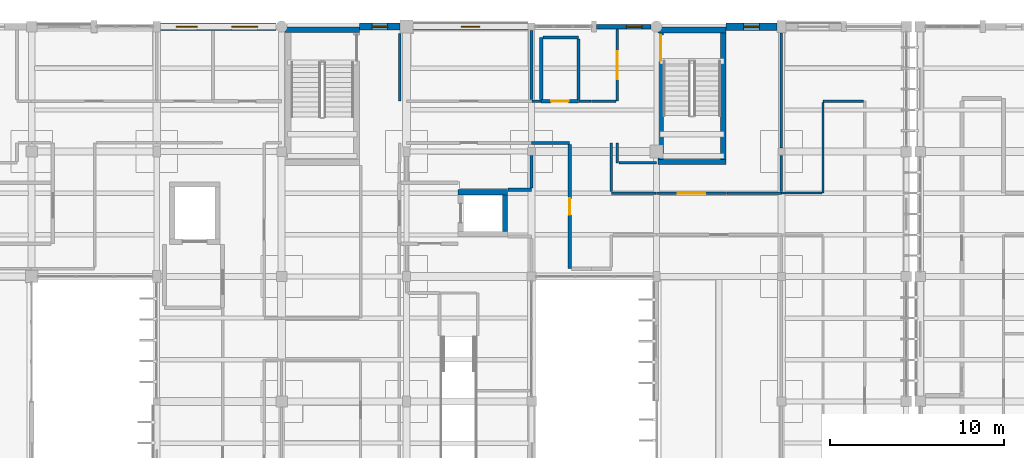
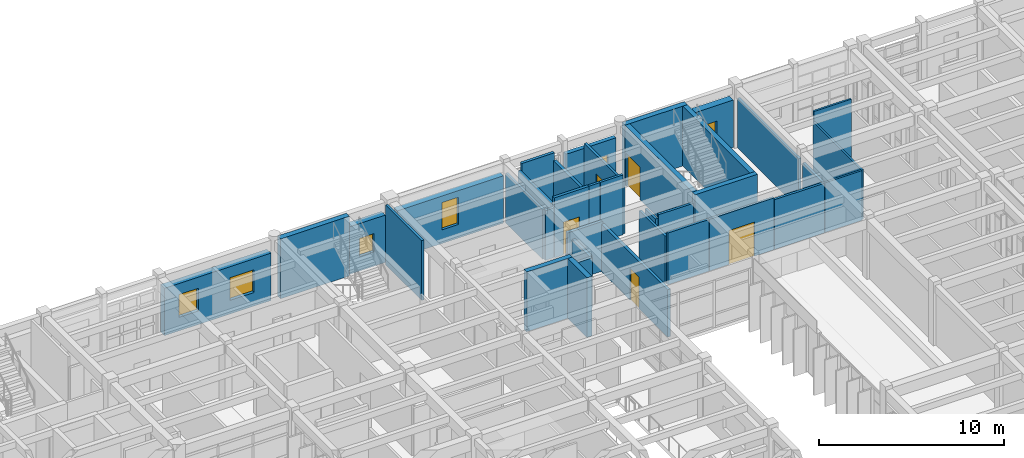
# One storey, part 80 of 100: 37 walls, 6 windows, 5 doors, 11 openings.
"""IFC4 building model written with IfcOpenShell, lengths in metres."""

import ifcopenshell
import ifcopenshell.guid

model = None  # the IFC model being written
_history = None  # IfcOwnerHistory: only IFC2X3 demands one
_inside = {}  # id of a spatial element -> (the spatial element, [elements in it])
_under = {}  # id of a project, library or spatial element -> (it, [spatial elements below it])
_declared = {}  # id of a project -> (the project, [libraries it declares])
_typed = {}  # id of a type object -> (the type object, [elements of that type])
_made_of = {}  # id of a material, layer set ... -> (it, [elements and type objects made of it])


def new_model(schema):
    """Start an empty IFC model of exactly this schema.

    Asked for "IFC4X3", IfcOpenShell would pick the latest addendum, in which some entities
    have other attributes; the version numbers below select the first issue.
    IFC2X3 requires an IfcOwnerHistory on every rooted entity: one is made here for all.
    """
    global model, _history
    if schema == "IFC4X3":
        model = ifcopenshell.file(schema_version=(4, 3, 0, 0))
    else:
        model = ifcopenshell.file(schema=schema)
    _inside.clear()
    _under.clear()
    _declared.clear()
    _typed.clear()
    _made_of.clear()
    _history = None
    if model.schema == "IFC2X3":
        org = make("IfcOrganization", Name="unknown")
        user = make(
            "IfcPersonAndOrganization",
            ThePerson=make("IfcPerson", FamilyName="unknown"),
            TheOrganization=org,
        )
        app = make(
            "IfcApplication",
            ApplicationDeveloper=org,
            Version="unknown",
            ApplicationFullName="unknown",
            ApplicationIdentifier="unknown",
        )
        _history = make(
            "IfcOwnerHistory",
            OwningUser=user,
            OwningApplication=app,
            ChangeAction="ADDED",
            CreationDate=0,
        )
    return model


def make(cls, **values):
    """One entity of the class cls with the attributes given. An attribute that is None is left unset."""
    return model.create_entity(
        cls, **{name: value for name, value in values.items() if value is not None}
    )


def rooted(cls, **values):
    """An entity with a GlobalId (a new one), such as an element, a storey or a relation."""
    return make(cls, GlobalId=ifcopenshell.guid.new(), OwnerHistory=_history, **values)


def si_unit(unit_type, name, prefix=None):
    """IfcSIUnit, for example si_unit("LENGTHUNIT", "METRE", prefix="MILLI")."""
    return make("IfcSIUnit", UnitType=unit_type, Prefix=prefix, Name=name)


def assignment(units):
    """IfcUnitAssignment: the units of a project."""
    return None if units is None else make("IfcUnitAssignment", Units=units)


def point(xyz):
    """IfcCartesianPoint."""
    return None if xyz is None else make("IfcCartesianPoint", Coordinates=xyz)


def direction(xyz):
    """IfcDirection."""
    return None if xyz is None else make("IfcDirection", DirectionRatios=xyz)


def frame(location, z_axis=None, x_axis=None):
    """IfcAxis2Placement3D, a coordinate frame: its origin and axes. An axis left out is left unset."""
    return make(
        "IfcAxis2Placement3D",
        Location=point(location),
        Axis=direction(z_axis),
        RefDirection=direction(x_axis),
    )


def frame_2d(location, x_axis=None):
    """IfcAxis2Placement2D, a coordinate frame in the plane: its origin and x axis."""
    return make(
        "IfcAxis2Placement2D", Location=point(location), RefDirection=direction(x_axis)
    )


def origin():
    """The frame at (0, 0, 0) with its axes left unset."""
    return frame((0.0, 0.0, 0.0))


def place(relative_to, where):
    """IfcLocalPlacement: puts the frame where relative to a parent placement (None: the world)."""
    return make(
        "IfcLocalPlacement", PlacementRelTo=relative_to, RelativePlacement=where
    )


def context(
    kind, dimensions, precision=None, world=None, true_north=None, identifier=None
):
    """IfcGeometricRepresentationContext, for example the 3D "Model" context."""
    return make(
        "IfcGeometricRepresentationContext",
        ContextIdentifier=identifier,
        ContextType=kind,
        CoordinateSpaceDimension=dimensions,
        Precision=precision,
        WorldCoordinateSystem=world,
        TrueNorth=true_north,
    )


def subcontext(parent, identifier, kind, view, scale=None):
    """IfcGeometricRepresentationSubContext, for example "Body" below "Model"."""
    return make(
        "IfcGeometricRepresentationSubContext",
        ContextIdentifier=identifier,
        ContextType=kind,
        ParentContext=parent,
        TargetScale=scale,
        TargetView=view,
    )


def project(units=None, contexts=None):
    """IfcProject with its units and contexts."""
    return rooted(
        "IfcProject",
        Name="project",
        RepresentationContexts=contexts,
        UnitsInContext=assignment(units),
    )


def spatial(cls, under=None, at=None, **own):
    """A site, building, storey or space (cls), placed at a placement, below another one or the project."""
    s = rooted(cls, ObjectPlacement=at, **own)
    if under is not None:
        _under.setdefault(under.id(), (under, []))[1].append(s)
    return s


def profile(cls, at=None, kind="AREA", **sizes):
    """A parametric profile (cls). Its sizes go by their IFC names, for example OverallWidth=200.0."""
    return make(cls, ProfileType=kind, Position=at, **sizes)


def rectangle(**sizes):
    """IfcRectangleProfileDef."""
    return profile("IfcRectangleProfileDef", **sizes)


def extrude(swept, where, along, depth):
    """IfcExtrudedAreaSolid: the profile swept, set in the frame where, extruded along a direction by depth."""
    return make(
        "IfcExtrudedAreaSolid",
        SweptArea=swept,
        Position=where,
        ExtrudedDirection=direction(along),
        Depth=depth,
    )


def shape(context_of_items, identifier, shape_type, items):
    """IfcShapeRepresentation: the items that make up one representation, for example the "Body"."""
    return make(
        "IfcShapeRepresentation",
        ContextOfItems=context_of_items,
        RepresentationIdentifier=identifier,
        RepresentationType=shape_type,
        Items=items,
    )


def material(Name=None, Category=None):
    """IfcMaterial."""
    return make("IfcMaterial", Name=Name, Category=Category)


def layer(
    of_material, thickness, ventilated=None, Name=None, Category=None, Priority=None
):
    """IfcMaterialLayer: one layer of a wall or slab, of a material (None: an air gap)."""
    return make(
        "IfcMaterialLayer",
        Material=of_material,
        LayerThickness=thickness,
        IsVentilated=ventilated,
        Name=Name,
        Category=Category,
        Priority=Priority,
    )


def layer_set(layers, Name=None):
    """IfcMaterialLayerSet."""
    return make("IfcMaterialLayerSet", MaterialLayers=layers, LayerSetName=Name)


def made_of(thing, what):
    """Note that an element or type object is made of a material, layer set ...; save() writes the relation."""
    if what is not None:
        _made_of.setdefault(what.id(), (what, []))[1].append(thing)
    return thing


def type_object(cls, material=None, **own):
    """A type object (cls), such as IfcWallType, which elements share."""
    return made_of(rooted(cls, **own), material)


def element(
    cls,
    number,
    at=None,
    inside=None,
    cuts=None,
    type_object=None,
    material=None,
    context=None,
    identifier="Body",
    shape_type=None,
    held_by="IfcProductDefinitionShape",
    body=None,
    shapes=None,
    **own,
):
    """One element of the class cls, such as IfcWall. Its Tag is "e" and its number.

    at: its placement. inside: the storey or other place that contains it. cuts: it is an
    opening in that element (IfcRelVoidsElement). A single representation is given by context,
    identifier, shape_type and body (its items); several are given by shapes. held_by: the class
    of the entity that holds the representations. save() writes the other relations.
    """
    e = rooted(cls, Tag="e%d" % number, ObjectPlacement=at, **own)
    if body is not None:
        shapes = [shape(context, identifier, shape_type, body)]
    if shapes is not None:
        e.Representation = make(held_by, Representations=shapes)
    if inside is not None:
        _inside.setdefault(inside.id(), (inside, []))[1].append(e)
    if cuts is not None:
        rooted(
            "IfcRelVoidsElement", RelatingBuildingElement=cuts, RelatedOpeningElement=e
        )
    if type_object is not None:
        _typed.setdefault(type_object.id(), (type_object, []))[1].append(e)
    return made_of(e, material)


def fill(opening, filler):
    """IfcRelFillsElement: the door or window that sits in an opening."""
    return rooted(
        "IfcRelFillsElement",
        RelatingOpeningElement=opening,
        RelatedBuildingElement=filler,
    )


def aggregate(whole, parts):
    """IfcRelAggregates: a whole, such as a stair, and the parts it consists of."""
    return rooted("IfcRelAggregates", RelatingObject=whole, RelatedObjects=parts)


def save(model, path):
    """Write the relations noted so far, then the file.

    IfcRelAggregates (storeys below a building ...), IfcRelContainedInSpatialStructure (elements
    in a storey), IfcRelDefinesByType, IfcRelAssociatesMaterial and IfcRelDeclares: one each for
    every whole, place, type object, material and project.
    """
    for whole, parts in _under.values():
        aggregate(whole, parts)
    for where, things in _inside.values():
        rooted(
            "IfcRelContainedInSpatialStructure",
            RelatedElements=things,
            RelatingStructure=where,
        )
    for kind, things in _typed.values():
        rooted("IfcRelDefinesByType", RelatedObjects=things, RelatingType=kind)
    for what, things in _made_of.values():
        rooted("IfcRelAssociatesMaterial", RelatedObjects=things, RelatingMaterial=what)
    for by, libraries in _declared.values():
        rooted("IfcRelDeclares", RelatingContext=by, RelatedDefinitions=libraries)
    model.write(path)


model = new_model("IFC4")

# Units and contexts
model_context = context("Model", 3, precision=1e-05, world=origin(), true_north=direction((0.0, 1.0)))
body_context = subcontext(model_context, "Body", "Model", "MODEL_VIEW")
ifc_project = project(units=[si_unit("LENGTHUNIT", "METRE"), si_unit("AREAUNIT", "SQUARE_METRE"), si_unit("VOLUMEUNIT", "CUBIC_METRE"), si_unit("PLANEANGLEUNIT", "RADIAN"), si_unit("MASSUNIT", "GRAM", prefix="KILO")], contexts=[model_context])

# Site, building, storey
site_placement = place(None, origin())
site = spatial("IfcSite", under=ifc_project, at=site_placement, CompositionType="ELEMENT")
building_placement = place(site_placement, origin())
building = spatial("IfcBuilding", under=site, at=building_placement, Name="Steenspoor Specialist Clinic", CompositionType="ELEMENT")
storey_placement = place(building_placement, frame((0.0, 0.0, 9.0)))
storey = spatial("IfcBuildingStorey", under=building, at=storey_placement, Name="L02", CompositionType="ELEMENT", Elevation=9.0)

# Wall, opening, window
ifc_material_1 = material(Name="Extruded clay brick masonry", Category="masonry")
ifc_layer_1 = layer(ifc_material_1, 0.3798828125)
ifc_layer_set_1 = layer_set([ifc_layer_1], Name="Extruded clay brick masonry")
wall_type_1 = type_object("IfcWallType", Name="W-BRICK-380", PredefinedType="USERDEFINED", material=ifc_layer_set_1)
wall_1_placement = place(storey_placement, frame((88.77490234375, 108.35009765625, 0.0), z_axis=(0.0, 0.0, 1.0), x_axis=(1.0, 0.0, 0.0)))
wall_1 = element("IfcWall", 1, at=wall_1_placement, inside=storey, type_object=wall_type_1, Name="Exterior Brick Wall EW-V4-L02-0144", ObjectType="CAVITY VENEER", PredefinedType="USERDEFINED", context=body_context, shape_type="SweptSolid", body=[
    extrude(rectangle(XDim=6.625, YDim=0.3798828125, at=frame_2d((3.3125, 0.0))), origin(), (0.0, 0.0, 1.0), 3.1298828125),
])
opening_1_placement = place(wall_1_placement, frame((2.78759765625, 0.0, 0.89990234375)))
opening_1 = element("IfcOpeningElement", 2, at=opening_1_placement, cuts=wall_1, Name="Opening WN-04", PredefinedType="OPENING", context=body_context, shape_type="SweptSolid", body=[
    extrude(rectangle(XDim=1.050048828125, YDim=1.800048828125, at=frame_2d((0.52490234375, 0.89990234375))), frame((0.0, 0.199951171875, 0.0), z_axis=(0.0, -1.0, 0.0), x_axis=(1.0, 0.0, 0.0)), (0.0, 0.0, 1.0), 0.39990234375),
])
ifc_material_2 = material(Name="Thermally broken aluminium and low-emissivity glass", Category="aluminium")
window_type_1 = type_object("IfcWindowType", Name="WN-EXT-105X180", PartitioningType="SINGLE_PANEL", PredefinedType="WINDOW", material=ifc_material_2)
window_1_placement = place(opening_1_placement, origin())
window_1 = element("IfcWindow", 3, at=window_1_placement, inside=storey, type_object=window_type_1, Name="Window 0170", OverallHeight=1.800048828125, OverallWidth=1.050048828125, PartitioningType="SINGLE_PANEL", PredefinedType="WINDOW", context=body_context, shape_type="SweptSolid", body=[
    extrude(rectangle(XDim=1.050048828125, YDim=1.800048828125, at=frame_2d((0.52490234375, 0.89990234375))), frame((0.0, 0.030029296875, 0.0), z_axis=(0.0, -1.0, 0.0), x_axis=(1.0, 0.0, 0.0)), (0.0, 0.0, 1.0), 0.06005859375),
])
fill(opening_1, window_1)

ifc_layer_2 = layer(ifc_material_1, 0.409912109375)
ifc_layer_set_2 = layer_set([ifc_layer_2], Name="Extruded clay brick masonry")
wall_type_2 = type_object("IfcWallType", Name="W-BRICK-410", PredefinedType="USERDEFINED", material=ifc_layer_set_2)
wall_2_placement = place(storey_placement, frame((85.699951171875, 108.35009765625, 0.0), z_axis=(0.0, 0.0, 1.0), x_axis=(1.0, 0.0, 0.0)))
wall_2 = element("IfcWall", 4, at=wall_2_placement, inside=storey, type_object=wall_type_2, Name="Exterior Brick Wall EW-V4-L02-0143", ObjectType="CAVITY VENEER", PredefinedType="USERDEFINED", context=body_context, shape_type="SweptSolid", body=[
    extrude(rectangle(XDim=2.324951171875, YDim=0.409912109375, at=frame_2d((1.16259765625, 0.0))), origin(), (0.0, 0.0, 1.0), 3.1298828125),
])
opening_2_placement = place(wall_2_placement, frame((0.71240234375, 0.0, 0.949951171875)))
opening_2 = element("IfcOpeningElement", 5, at=opening_2_placement, cuts=wall_2, Name="Opening WN-21", PredefinedType="OPENING", context=body_context, shape_type="SweptSolid", body=[
    extrude(rectangle(XDim=0.89990234375, YDim=1.199951171875, at=frame_2d((0.449951171875, 0.60009765625))), frame((0.0, 0.21484375, 0.0), z_axis=(0.0, -1.0, 0.0), x_axis=(1.0, 0.0, 0.0)), (0.0, 0.0, 1.0), 0.429931640625),
])
window_type_2 = type_object("IfcWindowType", Name="WN-EXT-090X120", PartitioningType="SINGLE_PANEL", PredefinedType="WINDOW", material=ifc_material_2)
window_2_placement = place(opening_2_placement, origin())
window_2 = element("IfcWindow", 6, at=window_2_placement, inside=storey, type_object=window_type_2, Name="Window 0169", OverallHeight=1.199951171875, OverallWidth=0.89990234375, PartitioningType="SINGLE_PANEL", PredefinedType="WINDOW", context=body_context, shape_type="SweptSolid", body=[
    extrude(rectangle(XDim=0.89990234375, YDim=1.199951171875, at=frame_2d((0.449951171875, 0.60009765625))), frame((0.0, 0.030029296875, 0.0), z_axis=(0.0, -1.0, 0.0), x_axis=(1.0, 0.0, 0.0)), (0.0, 0.0, 1.0), 0.06005859375),
])
fill(opening_2, window_2)

# Wall, openings, windows
ifc_layer_3 = layer(ifc_material_1, 0.43994140625)
ifc_layer_set_3 = layer_set([ifc_layer_3], Name="Extruded clay brick masonry")
wall_type_3 = type_object("IfcWallType", Name="W-BRICK-440", PredefinedType="USERDEFINED", material=ifc_layer_set_3)
wall_3_placement = place(storey_placement, frame((74.22509765625, 108.35009765625, 0.0), z_axis=(0.0, 0.0, 1.0), x_axis=(1.0, 0.0, 0.0)))
wall_3 = element("IfcWall", 7, at=wall_3_placement, inside=storey, type_object=wall_type_3, Name="Exterior Brick Wall EW-V4-L02-0142", ObjectType="CAVITY VENEER", PredefinedType="USERDEFINED", context=body_context, shape_type="SweptSolid", body=[
    extrude(rectangle(XDim=6.64990234375, YDim=0.43994140625, at=frame_2d((3.324951171875, 0.0))), origin(), (0.0, 0.0, 1.0), 3.1298828125),
])
opening_3_placement = place(wall_3_placement, frame((0.902587890625, 0.0, 0.89990234375)))
opening_3 = element("IfcOpeningElement", 8, at=opening_3_placement, cuts=wall_3, Name="Opening WN-11", PredefinedType="OPENING", context=body_context, shape_type="SweptSolid", body=[
    extrude(rectangle(XDim=1.199951171875, YDim=1.5, at=frame_2d((0.60009765625, 0.75))), frame((0.0, 0.22998046875, 0.0), z_axis=(0.0, -1.0, 0.0), x_axis=(1.0, 0.0, 0.0)), (0.0, 0.0, 1.0), 0.4599609375),
])
opening_4_placement = place(wall_3_placement, frame((4.097412109375, 0.0, 0.89990234375)))
opening_4 = element("IfcOpeningElement", 9, at=opening_4_placement, cuts=wall_3, Name="Opening WN-12", PredefinedType="OPENING", context=body_context, shape_type="SweptSolid", body=[
    extrude(rectangle(XDim=1.5, YDim=1.5, at=frame_2d((0.75, 0.75))), frame((0.0, 0.22998046875, 0.0), z_axis=(0.0, -1.0, 0.0), x_axis=(1.0, 0.0, 0.0)), (0.0, 0.0, 1.0), 0.4599609375),
])
window_type_3 = type_object("IfcWindowType", Name="WN-EXT-120X150", PartitioningType="SINGLE_PANEL", PredefinedType="WINDOW", material=ifc_material_2)
window_3_placement = place(opening_3_placement, origin())
window_3 = element("IfcWindow", 10, at=window_3_placement, inside=storey, type_object=window_type_3, Name="Window 0167", OverallHeight=1.5, OverallWidth=1.199951171875, PartitioningType="SINGLE_PANEL", PredefinedType="WINDOW", context=body_context, shape_type="SweptSolid", body=[
    extrude(rectangle(XDim=1.199951171875, YDim=1.5, at=frame_2d((0.60009765625, 0.75))), frame((0.0, 0.030029296875, 0.0), z_axis=(0.0, -1.0, 0.0), x_axis=(1.0, 0.0, 0.0)), (0.0, 0.0, 1.0), 0.06005859375),
])
fill(opening_3, window_3)
window_type_4 = type_object("IfcWindowType", Name="WN-EXT-150X150", PartitioningType="SINGLE_PANEL", PredefinedType="WINDOW", material=ifc_material_2)
window_4_placement = place(opening_4_placement, origin())
window_4 = element("IfcWindow", 11, at=window_4_placement, inside=storey, type_object=window_type_4, Name="Window 0168", OverallHeight=1.5, OverallWidth=1.5, PartitioningType="SINGLE_PANEL", PredefinedType="WINDOW", context=body_context, shape_type="SweptSolid", body=[
    extrude(rectangle(XDim=1.5, YDim=1.5, at=frame_2d((0.75, 0.75))), frame((0.0, 0.030029296875, 0.0), z_axis=(0.0, -1.0, 0.0), x_axis=(1.0, 0.0, 0.0)), (0.0, 0.0, 1.0), 0.06005859375),
])
fill(opening_4, window_4)

# Wall, opening, window
wall_4_placement = place(storey_placement, frame((106.800048828125, 108.35009765625, 0.0), z_axis=(0.0, 0.0, 1.0), x_axis=(1.0, 0.0, 0.0)))
wall_4 = element("IfcWall", 12, at=wall_4_placement, inside=storey, type_object=wall_type_3, Name="Exterior Brick Wall EW-V4-L02-0146", ObjectType="CAVITY VENEER", PredefinedType="USERDEFINED", context=body_context, shape_type="SweptSolid", body=[
    extrude(rectangle(XDim=2.949951171875, YDim=0.43994140625, at=frame_2d((1.47509765625, 0.0))), origin(), (0.0, 0.0, 1.0), 3.1298828125),
])
opening_5_placement = place(wall_4_placement, frame((1.02490234375, 0.0, 0.89990234375)))
opening_5 = element("IfcOpeningElement", 13, at=opening_5_placement, cuts=wall_4, Name="Opening WN-21", PredefinedType="OPENING", context=body_context, shape_type="SweptSolid", body=[
    extrude(rectangle(XDim=0.89990234375, YDim=1.199951171875, at=frame_2d((0.449951171875, 0.60009765625))), frame((0.0, 0.22998046875, 0.0), z_axis=(0.0, -1.0, 0.0), x_axis=(1.0, 0.0, 0.0)), (0.0, 0.0, 1.0), 0.4599609375),
])
window_5_placement = place(opening_5_placement, origin())
window_5 = element("IfcWindow", 14, at=window_5_placement, inside=storey, type_object=window_type_2, Name="Window 0172", OverallHeight=1.199951171875, OverallWidth=0.89990234375, PartitioningType="SINGLE_PANEL", PredefinedType="WINDOW", context=body_context, shape_type="SweptSolid", body=[
    extrude(rectangle(XDim=0.89990234375, YDim=1.199951171875, at=frame_2d((0.449951171875, 0.60009765625))), frame((0.0, 0.030029296875, 0.0), z_axis=(0.0, -1.0, 0.0), x_axis=(1.0, 0.0, 0.0)), (0.0, 0.0, 1.0), 0.06005859375),
])
fill(opening_5, window_5)

# Walls
ifc_material_3 = material(Name="Gypsum acoustic clinical partition", Category="gypsum")
ifc_layer_4 = layer(ifc_material_3, 0.14990234375)
ifc_layer_set_4 = layer_set([ifc_layer_4], Name="Gypsum acoustic clinical partition")
wall_type_4 = type_object("IfcWallType", Name="W-CLIN-150", PredefinedType="PARTITIONING", material=ifc_layer_set_4)
wall_5_placement = place(storey_placement, frame((100.550048828125, 100.5, 0.0), z_axis=(0.0, 0.0, 1.0), x_axis=(0.0, 1.0, 0.0)))
element("IfcWall", 15, at=wall_5_placement, inside=storey, type_object=wall_type_4, Name="Interior Partition IW-V4-L02-1339", PredefinedType="PARTITIONING", context=body_context, shape_type="SweptSolid", body=[
    extrude(rectangle(XDim=1.14990234375, YDim=0.14990234375, at=frame_2d((0.574951171875, 0.0))), origin(), (0.0, 0.0, 1.0), 3.135009765625),
])
wall_6_placement = place(storey_placement, frame((100.639892578125, 100.5, 0.0), z_axis=(0.0, 0.0, 1.0), x_axis=(1.0, 0.0, 0.0)))
element("IfcWall", 16, at=wall_6_placement, inside=storey, type_object=wall_type_4, Name="Interior Partition IW-V4-L02-1340", PredefinedType="PARTITIONING", context=body_context, shape_type="SweptSolid", body=[
    extrude(rectangle(XDim=2.16015625, YDim=0.14990234375, at=frame_2d((1.080078125, 0.0))), origin(), (0.0, 0.0, 1.0), 3.4150390625),
])
wall_7_placement = place(storey_placement, frame((106.85009765625, 98.75, 0.0), z_axis=(0.0, 0.0, 1.0), x_axis=(1.0, 0.0, 0.0)))
element("IfcWall", 17, at=wall_7_placement, inside=storey, type_object=wall_type_4, Name="Interior Partition IW-V4-L02-1341", PredefinedType="PARTITIONING", context=body_context, shape_type="SweptSolid", body=[
    extrude(rectangle(XDim=3.14990234375, YDim=0.14990234375, at=frame_2d((1.574951171875, 0.0))), origin(), (0.0, 0.0, 1.0), 3.284912109375),
])

# Wall, opening, door
wall_8_placement = place(storey_placement, frame((102.800048828125, 98.75, 0.0), z_axis=(0.0, 0.0, 1.0), x_axis=(1.0, 0.0, 0.0)))
wall_8 = element("IfcWall", 18, at=wall_8_placement, inside=storey, type_object=wall_type_4, Name="Interior Partition IW-V4-L02-1342", PredefinedType="PARTITIONING", context=body_context, shape_type="SweptSolid", body=[
    extrude(rectangle(XDim=4.034912109375, YDim=0.14990234375, at=frame_2d((2.017578125, 0.0))), origin(), (0.0, 0.0, 1.0), 3.4150390625),
])
opening_6_placement = place(wall_8_placement, frame((1.217529296875, 0.0, 0.0)))
opening_6 = element("IfcOpeningElement", 19, at=opening_6_placement, cuts=wall_8, Name="Opening D0247", PredefinedType="OPENING", context=body_context, shape_type="SweptSolid", body=[
    extrude(rectangle(XDim=1.60009765625, YDim=2.25, at=frame_2d((0.800048828125, 1.125))), frame((0.0, 0.0849609375, 0.0), z_axis=(0.0, -1.0, 0.0), x_axis=(1.0, 0.0, 0.0)), (0.0, 0.0, 1.0), 0.169921875),
])
ifc_material_4 = material(Name="Hygienic HPL clinical timber door", Category="wood")
door_type_1 = type_object("IfcDoorType", Name="DT-PROC-160X225", OperationType="NOTDEFINED", PredefinedType="DOOR", material=ifc_material_4)
door_1_placement = place(opening_6_placement, origin())
door_1 = element("IfcDoor", 20, at=door_1_placement, inside=storey, type_object=door_type_1, Name="Clinical Door D0247", OperationType="SINGLE_SWING_RIGHT", OverallHeight=2.25, OverallWidth=1.60009765625, PredefinedType="DOOR", context=body_context, shape_type="SweptSolid", body=[
    extrude(rectangle(XDim=1.60009765625, YDim=2.25, at=frame_2d((0.800048828125, 1.125))), frame((0.0, 0.02490234375, 0.0), z_axis=(0.0, -1.0, 0.0), x_axis=(1.0, 0.0, 0.0)), (0.0, 0.0, 1.0), 0.050048828125),
])
fill(opening_6, door_1)

# Walls
wall_9_placement = place(storey_placement, frame((100.199951171875, 98.75, 0.0), z_axis=(0.0, 0.0, 1.0), x_axis=(1.0, 0.0, 0.0)))
element("IfcWall", 21, at=wall_9_placement, inside=storey, type_object=wall_type_4, Name="Interior Partition IW-V4-L02-1343", PredefinedType="PARTITIONING", context=body_context, shape_type="SweptSolid", body=[
    extrude(rectangle(XDim=2.5849609375, YDim=0.14990234375, at=frame_2d((1.29248046875, 0.0))), origin(), (0.0, 0.0, 1.0), 3.4150390625),
])
wall_10_placement = place(storey_placement, frame((100.199951171875, 98.840087890625, 0.0), z_axis=(0.0, 0.0, 1.0), x_axis=(0.0, 1.0, 0.0)))
element("IfcWall", 22, at=wall_10_placement, inside=storey, type_object=wall_type_4, Name="Interior Partition IW-V4-L02-1344", PredefinedType="PARTITIONING", context=body_context, shape_type="SweptSolid", body=[
    extrude(rectangle(XDim=2.809814453125, YDim=0.14990234375, at=frame_2d((1.40478515625, 0.0))), origin(), (0.0, 0.0, 1.0), 3.135009765625),
])
wall_11_placement = place(storey_placement, frame((88.0, 104.050048828125, 0.0), z_axis=(0.0, 0.0, 1.0), x_axis=(0.0, 1.0, 0.0)))
element("IfcWall", 23, at=wall_11_placement, inside=storey, type_object=wall_type_4, Name="Interior Partition IW-V4-L02-1346", PredefinedType="PARTITIONING", context=body_context, shape_type="SweptSolid", body=[
    extrude(rectangle(XDim=3.909912109375, YDim=0.14990234375, at=frame_2d((1.955078125, 0.0))), origin(), (0.0, 0.0, 1.0), 3.949951171875),
])

# Wall, opening, door
wall_12_placement = place(storey_placement, frame((100.550048828125, 104.050048828125, 0.0), z_axis=(0.0, 0.0, 1.0), x_axis=(0.0, 1.0, 0.0)))
wall_12 = element("IfcWall", 24, at=wall_12_placement, inside=storey, type_object=wall_type_4, Name="Interior Partition IW-V4-L02-1348", PredefinedType="PARTITIONING", context=body_context, shape_type="SweptSolid", body=[
    extrude(rectangle(XDim=4.14990234375, YDim=0.14990234375, at=frame_2d((2.074951171875, 0.0))), origin(), (0.0, 0.0, 1.0), 3.47509765625),
])
opening_7_placement = place(wall_12_placement, frame((1.27490234375, 0.0, 0.0)))
opening_7 = element("IfcOpeningElement", 25, at=opening_7_placement, cuts=wall_12, Name="Opening D0253", PredefinedType="OPENING", context=body_context, shape_type="SweptSolid", body=[
    extrude(rectangle(XDim=1.60009765625, YDim=2.25, at=frame_2d((0.800048828125, 1.125))), frame((0.0, 0.0849609375, 0.0), z_axis=(0.0, -1.0, 0.0), x_axis=(1.0, 0.0, 0.0)), (0.0, 0.0, 1.0), 0.169921875),
])
door_2_placement = place(opening_7_placement, origin())
door_2 = element("IfcDoor", 26, at=door_2_placement, inside=storey, type_object=door_type_1, Name="Clinical Door D0253", OperationType="SINGLE_SWING_RIGHT", OverallHeight=2.25, OverallWidth=1.60009765625, PredefinedType="DOOR", context=body_context, shape_type="SweptSolid", body=[
    extrude(rectangle(XDim=1.60009765625, YDim=2.25, at=frame_2d((0.800048828125, 1.125))), frame((0.0, 0.02490234375, 0.0), z_axis=(0.0, -1.0, 0.0), x_axis=(1.0, 0.0, 0.0)), (0.0, 0.0, 1.0), 0.050048828125),
])
fill(opening_7, door_2)

# Walls
wall_13_placement = place(storey_placement, frame((99.050048828125, 104.050048828125, 0.0), z_axis=(0.0, 0.0, 1.0), x_axis=(1.0, 0.0, 0.0)))
element("IfcWall", 27, at=wall_13_placement, inside=storey, type_object=wall_type_4, Name="Interior Partition IW-V4-L02-1349", PredefinedType="PARTITIONING", context=body_context, shape_type="SweptSolid", body=[
    extrude(rectangle(XDim=1.409912109375, YDim=0.14990234375, at=frame_2d((0.705078125, 0.0))), origin(), (0.0, 0.0, 1.0), 3.949951171875),
])
wall_14_placement = place(storey_placement, frame((98.324951171875, 104.050048828125, 0.0), z_axis=(0.0, 0.0, 1.0), x_axis=(1.0, 0.0, 0.0)))
element("IfcWall", 28, at=wall_14_placement, inside=storey, type_object=wall_type_4, Name="Interior Partition IW-V4-L02-1350", PredefinedType="PARTITIONING", context=body_context, shape_type="SweptSolid", body=[
    extrude(rectangle(XDim=0.7099609375, YDim=0.14990234375, at=frame_2d((0.35498046875, 0.0))), origin(), (0.0, 0.0, 1.0), 3.949951171875),
])
wall_15_placement = place(storey_placement, frame((95.614990234375, 104.050048828125, 0.0), z_axis=(0.0, 0.0, 1.0), x_axis=(1.0, 0.0, 0.0)))
element("IfcWall", 29, at=wall_15_placement, inside=storey, type_object=wall_type_4, Name="Interior Partition IW-V4-L02-1351", PredefinedType="PARTITIONING", context=body_context, shape_type="SweptSolid", body=[
    extrude(rectangle(XDim=0.530029296875, YDim=0.14990234375, at=frame_2d((0.26513671875, 0.0))), origin(), (0.0, 0.0, 1.0), 3.284912109375),
])
wall_16_placement = place(storey_placement, frame((110.0, 98.840087890625, 0.0), z_axis=(0.0, 0.0, 1.0), x_axis=(0.0, 1.0, 0.0)))
element("IfcWall", 30, at=wall_16_placement, inside=storey, type_object=wall_type_4, Name="Interior Partition IW-V4-L02-1470", PredefinedType="PARTITIONING", context=body_context, shape_type="SweptSolid", body=[
    extrude(rectangle(XDim=2.094970703125, YDim=0.14990234375, at=frame_2d((1.04736328125, 0.0))), origin(), (0.0, 0.0, 1.0), 3.284912109375),
])
wall_17_placement = place(storey_placement, frame((110.0, 101.364990234375, 0.0), z_axis=(0.0, 0.0, 1.0), x_axis=(0.0, 1.0, 0.0)))
element("IfcWall", 31, at=wall_17_placement, inside=storey, type_object=wall_type_4, Name="Interior Partition IW-V4-L02-1471", PredefinedType="PARTITIONING", context=body_context, shape_type="SweptSolid", body=[
    extrude(rectangle(XDim=6.6201171875, YDim=0.14990234375, at=frame_2d((3.31005859375, 0.0))), origin(), (0.0, 0.0, 1.0), 3.284912109375),
])
wall_18_placement = place(storey_placement, frame((95.60009765625, 104.139892578125, 0.0), z_axis=(0.0, 0.0, 1.0), x_axis=(0.0, 1.0, 0.0)))
element("IfcWall", 32, at=wall_18_placement, inside=storey, type_object=wall_type_4, Name="Interior Partition IW-V4-L02-1483", PredefinedType="PARTITIONING", context=body_context, shape_type="SweptSolid", body=[
    extrude(rectangle(XDim=3.9951171875, YDim=0.14990234375, at=frame_2d((1.99755859375, 0.0))), origin(), (0.0, 0.0, 1.0), 3.284912109375),
])
ifc_material_5 = material(Name="Concrete C40/50", Category="concrete")
ifc_layer_5 = layer(ifc_material_5, 0.330078125)
ifc_layer_set_5 = layer_set([ifc_layer_5], Name="Concrete C40/50")
wall_type_5 = type_object("IfcWallType", Name="W-ESW-330", PredefinedType="SHEAR", material=ifc_layer_set_5)
wall_19_placement = place(storey_placement, frame((102.89990234375, 108.14990234375, 0.0), z_axis=(0.0, 0.0, 1.0), x_axis=(1.0, 0.0, 0.0)))
element("IfcWall", 33, at=wall_19_placement, inside=storey, type_object=wall_type_5, Name="Core Shear Wall SW-ST-V4B-L02-N", PredefinedType="SHEAR", context=body_context, shape_type="SweptSolid", body=[
    extrude(rectangle(XDim=3.900146484375, YDim=0.330078125, at=frame_2d((1.9501953125, 0.0))), origin(), (0.0, 0.0, 1.0), 3.949951171875),
])
wall_20_placement = place(storey_placement, frame((81.39990234375, 108.175048828125, 0.0), z_axis=(0.0, 0.0, 1.0), x_axis=(1.0, 0.0, 0.0)))
element("IfcWall", 34, at=wall_20_placement, inside=storey, type_object=wall_type_5, Name="Core Shear Wall SW-ST-V4C-L02-N", PredefinedType="SHEAR", context=body_context, shape_type="SweptSolid", body=[
    extrude(rectangle(XDim=4.300048828125, YDim=0.330078125, at=frame_2d((2.14990234375, 0.0))), origin(), (0.0, 0.0, 1.0), 3.949951171875),
])
ifc_material_6 = material(Name="Gypsum studio partition board", Category="gypsum")
ifc_layer_6 = layer(ifc_material_6, 0.1201171875)
ifc_layer_set_6 = layer_set([ifc_layer_6], Name="Gypsum studio partition board")
wall_type_6 = type_object("IfcWallType", Name="W-PART-120", PredefinedType="PARTITIONING", material=ifc_layer_set_6)
wall_21_placement = place(storey_placement, frame((112.39990234375, 104.050048828125, 0.0), z_axis=(0.0, 0.0, 1.0), x_axis=(1.0, 0.0, 0.0)))
element("IfcWall", 35, at=wall_21_placement, inside=storey, type_object=wall_type_6, Name="Interior Partition IW-V4-L02-1383", PredefinedType="PARTITIONING", context=body_context, shape_type="SweptSolid", body=[
    extrude(rectangle(XDim=2.3251953125, YDim=0.1201171875, at=frame_2d((1.16259765625, 0.0))), origin(), (0.0, 0.0, 1.0), 3.949951171875),
])
wall_22_placement = place(storey_placement, frame((112.39990234375, 98.75, 0.0), z_axis=(0.0, 0.0, 1.0), x_axis=(0.0, 1.0, 0.0)))
element("IfcWall", 36, at=wall_22_placement, inside=storey, type_object=wall_type_6, Name="Interior Partition IW-V4-L02-1384", PredefinedType="PARTITIONING", context=body_context, shape_type="SweptSolid", body=[
    extrude(rectangle(XDim=5.22509765625, YDim=0.1201171875, at=frame_2d((2.612548828125, 0.0))), origin(), (0.0, 0.0, 1.0), 3.284912109375),
])
wall_23_placement = place(storey_placement, frame((110.014892578125, 98.75, 0.0), z_axis=(0.0, 0.0, 1.0), x_axis=(1.0, 0.0, 0.0)))
element("IfcWall", 37, at=wall_23_placement, inside=storey, type_object=wall_type_6, Name="Interior Partition IW-V4-L02-1385", PredefinedType="PARTITIONING", context=body_context, shape_type="SweptSolid", body=[
    extrude(rectangle(XDim=2.31005859375, YDim=0.1201171875, at=frame_2d((1.155029296875, 0.0))), origin(), (0.0, 0.0, 1.0), 3.284912109375),
])

# Wall, opening, door
ifc_material_7 = material(Name="Moisture-resistant gypsum plumbing wall", Category="gypsum")
ifc_layer_7 = layer(ifc_material_7, 0.179931640625)
ifc_layer_set_7 = layer_set([ifc_layer_7], Name="Moisture-resistant gypsum plumbing wall")
wall_type_7 = type_object("IfcWallType", Name="W-PLUMB-180", PredefinedType="PLUMBINGWALL", material=ifc_layer_set_7)
wall_24_placement = place(storey_placement, frame((96.159912109375, 104.050048828125, 0.0), z_axis=(0.0, 0.0, 1.0), x_axis=(1.0, 0.0, 0.0)))
wall_24 = element("IfcWall", 38, at=wall_24_placement, inside=storey, type_object=wall_type_7, Name="Interior Partition IW-V4-L02-1243", PredefinedType="PLUMBINGWALL", context=body_context, shape_type="SweptSolid", body=[
    extrude(rectangle(XDim=2.150146484375, YDim=0.179931640625, at=frame_2d((1.0751953125, 0.0))), origin(), (0.0, 0.0, 1.0), 3.949951171875),
])
opening_8_placement = place(wall_24_placement, frame((0.574951171875, 0.0, 0.0)))
opening_8 = element("IfcOpeningElement", 39, at=opening_8_placement, cuts=wall_24, Name="Opening D0252", PredefinedType="OPENING", context=body_context, shape_type="SweptSolid", body=[
    extrude(rectangle(XDim=1.0, YDim=2.14990234375, at=frame_2d((0.5, 1.074951171875))), frame((0.0, 0.10009765625, 0.0), z_axis=(0.0, -1.0, 0.0), x_axis=(1.0, 0.0, 0.0)), (0.0, 0.0, 1.0), 0.199951171875),
])
ifc_material_8 = material(Name="Moisture-resistant HPL accessible WC door", Category="wood")
door_type_2 = type_object("IfcDoorType", Name="DT-AWC-100X215", OperationType="NOTDEFINED", PredefinedType="DOOR", material=ifc_material_8)
door_3_placement = place(opening_8_placement, origin())
door_3 = element("IfcDoor", 40, at=door_3_placement, inside=storey, type_object=door_type_2, Name="Clinical Door D0252", OperationType="SINGLE_SWING_LEFT", OverallHeight=2.14990234375, OverallWidth=1.0, PredefinedType="DOOR", context=body_context, shape_type="SweptSolid", body=[
    extrude(rectangle(XDim=1.0, YDim=2.14990234375, at=frame_2d((0.5, 1.074951171875))), frame((0.0, 0.02490234375, 0.0), z_axis=(0.0, -1.0, 0.0), x_axis=(1.0, 0.0, 0.0)), (0.0, 0.0, 1.0), 0.050048828125),
])
fill(opening_8, door_3)

# Walls
wall_25_placement = place(storey_placement, frame((96.159912109375, 104.155029296875, 0.0), z_axis=(0.0, 0.0, 1.0), x_axis=(0.0, 1.0, 0.0)))
element("IfcWall", 41, at=wall_25_placement, inside=storey, type_object=wall_type_7, Name="Interior Partition IW-V4-L02-1255", PredefinedType="PLUMBINGWALL", context=body_context, shape_type="SweptSolid", body=[
    extrude(rectangle(XDim=3.574951171875, YDim=0.179931640625, at=frame_2d((1.78759765625, 0.0))), origin(), (0.0, 0.0, 1.0), 3.47509765625),
])
wall_26_placement = place(storey_placement, frame((96.264892578125, 107.72998046875, 0.0), z_axis=(0.0, 0.0, 1.0), x_axis=(1.0, 0.0, 0.0)))
element("IfcWall", 42, at=wall_26_placement, inside=storey, type_object=wall_type_7, Name="Interior Partition IW-V4-L02-1256", PredefinedType="PLUMBINGWALL", context=body_context, shape_type="SweptSolid", body=[
    extrude(rectangle(XDim=2.045166015625, YDim=0.179931640625, at=frame_2d((1.0224609375, 0.0))), origin(), (0.0, 0.0, 1.0), 3.949951171875),
])
wall_27_placement = place(storey_placement, frame((98.31005859375, 104.155029296875, 0.0), z_axis=(0.0, 0.0, 1.0), x_axis=(0.0, 1.0, 0.0)))
element("IfcWall", 43, at=wall_27_placement, inside=storey, type_object=wall_type_7, Name="Interior Partition IW-V4-L02-1257", PredefinedType="PLUMBINGWALL", context=body_context, shape_type="SweptSolid", body=[
    extrude(rectangle(XDim=3.469970703125, YDim=0.179931640625, at=frame_2d((1.73486328125, 0.0))), origin(), (0.0, 0.0, 1.0), 3.47509765625),
])
wall_28_placement = place(storey_placement, frame((95.60009765625, 101.64990234375, 0.0), z_axis=(0.0, 0.0, 1.0), x_axis=(1.0, 0.0, 0.0)))
element("IfcWall", 44, at=wall_28_placement, inside=storey, type_object=wall_type_7, Name="Interior Partition IW-V4-L02-1288", PredefinedType="PLUMBINGWALL", context=body_context, shape_type="SweptSolid", body=[
    extrude(rectangle(XDim=2.199951171875, YDim=0.179931640625, at=frame_2d((1.10009765625, 0.0))), origin(), (0.0, 0.0, 1.0), 3.284912109375),
])

# Wall, opening, door
wall_29_placement = place(storey_placement, frame((97.800048828125, 94.39990234375, 0.0), z_axis=(0.0, 0.0, 1.0), x_axis=(0.0, 1.0, 0.0)))
wall_29 = element("IfcWall", 45, at=wall_29_placement, inside=storey, type_object=wall_type_7, Name="Interior Partition IW-V4-L02-1289", PredefinedType="PLUMBINGWALL", context=body_context, shape_type="SweptSolid", body=[
    extrude(rectangle(XDim=7.14501953125, YDim=0.179931640625, at=frame_2d((3.572509765625, 0.0))), origin(), (0.0, 0.0, 1.0), 3.135009765625),
])
opening_9_placement = place(wall_29_placement, frame((3.097412109375, 0.0, 0.0)))
opening_9 = element("IfcOpeningElement", 46, at=opening_9_placement, cuts=wall_29, Name="Opening D0244", PredefinedType="OPENING", context=body_context, shape_type="SweptSolid", body=[
    extrude(rectangle(XDim=0.949951171875, YDim=2.10009765625, at=frame_2d((0.47509765625, 1.050048828125))), frame((0.0, 0.10009765625, 0.0), z_axis=(0.0, -1.0, 0.0), x_axis=(1.0, 0.0, 0.0)), (0.0, 0.0, 1.0), 0.199951171875),
])
ifc_material_9 = material(Name="Moisture-resistant HPL sanitary door", Category="wood")
door_type_3 = type_object("IfcDoorType", Name="DT-WC-095X210", OperationType="NOTDEFINED", PredefinedType="DOOR", material=ifc_material_9)
door_4_placement = place(opening_9_placement, origin())
door_4 = element("IfcDoor", 47, at=door_4_placement, inside=storey, type_object=door_type_3, Name="Clinical Door D0244", OperationType="SINGLE_SWING_LEFT", OverallHeight=2.10009765625, OverallWidth=0.949951171875, PredefinedType="DOOR", context=body_context, shape_type="SweptSolid", body=[
    extrude(rectangle(XDim=0.949951171875, YDim=2.10009765625, at=frame_2d((0.47509765625, 1.050048828125))), frame((0.0, 0.02490234375, 0.0), z_axis=(0.0, -1.0, 0.0), x_axis=(1.0, 0.0, 0.0)), (0.0, 0.0, 1.0), 0.050048828125),
])
fill(opening_9, door_4)

# Walls
wall_30_placement = place(storey_placement, frame((94.239990234375, 98.949951171875, 0.0), z_axis=(0.0, 0.0, 1.0), x_axis=(1.0, 0.0, 0.0)))
element("IfcWall", 48, at=wall_30_placement, inside=storey, type_object=wall_type_7, Name="Interior Partition IW-V4-L02-1450", PredefinedType="PLUMBINGWALL", context=body_context, shape_type="SweptSolid", body=[
    extrude(rectangle(XDim=1.360107421875, YDim=0.179931640625, at=frame_2d((0.68017578125, 0.0))), origin(), (0.0, 0.0, 1.0), 3.284912109375),
])
wall_31_placement = place(storey_placement, frame((95.60009765625, 99.054931640625, 0.0), z_axis=(0.0, 0.0, 1.0), x_axis=(0.0, 1.0, 0.0)))
element("IfcWall", 49, at=wall_31_placement, inside=storey, type_object=wall_type_7, Name="Interior Partition IW-V4-L02-1451", PredefinedType="PLUMBINGWALL", context=body_context, shape_type="SweptSolid", body=[
    extrude(rectangle(XDim=1.85498046875, YDim=0.179931640625, at=frame_2d((0.927490234375, 0.0))), origin(), (0.0, 0.0, 1.0), 3.284912109375),
])

# Wall, opening, window
ifc_layer_8 = layer(ifc_material_1, 0.260009765625)
ifc_layer_set_8 = layer_set([ifc_layer_8], Name="Extruded clay brick masonry")
wall_type_8 = type_object("IfcWallType", Name="W-SCREEN-260", PredefinedType="SOLIDWALL", material=ifc_layer_set_8)
wall_32_placement = place(storey_placement, frame((99.35009765625, 108.35009765625, 0.0), z_axis=(0.0, 0.0, 1.0), x_axis=(1.0, 0.0, 0.0)))
wall_32 = element("IfcWall", 50, at=wall_32_placement, inside=storey, type_object=wall_type_8, Name="Exterior Brick Wall EW-V4-L02-0145", PredefinedType="SOLIDWALL", context=body_context, shape_type="SweptSolid", body=[
    extrude(rectangle(XDim=3.125, YDim=0.260009765625, at=frame_2d((1.5625, 0.0))), origin(), (0.0, 0.0, 1.0), 3.1298828125),
])
opening_10_placement = place(wall_32_placement, frame((1.722412109375, 0.0, 0.949951171875)))
opening_10 = element("IfcOpeningElement", 51, at=opening_10_placement, cuts=wall_32, Name="Opening WN-21", PredefinedType="OPENING", context=body_context, shape_type="SweptSolid", body=[
    extrude(rectangle(XDim=0.89990234375, YDim=1.199951171875, at=frame_2d((0.449951171875, 0.60009765625))), frame((0.0, 0.14013671875, 0.0), z_axis=(0.0, -1.0, 0.0), x_axis=(1.0, 0.0, 0.0)), (0.0, 0.0, 1.0), 0.280029296875),
])
window_6_placement = place(opening_10_placement, origin())
window_6 = element("IfcWindow", 52, at=window_6_placement, inside=storey, type_object=window_type_2, Name="Window 0171", OverallHeight=1.199951171875, OverallWidth=0.89990234375, PartitioningType="SINGLE_PANEL", PredefinedType="WINDOW", context=body_context, shape_type="SweptSolid", body=[
    extrude(rectangle(XDim=0.89990234375, YDim=1.199951171875, at=frame_2d((0.449951171875, 0.60009765625))), frame((0.0, 0.030029296875, 0.0), z_axis=(0.0, -1.0, 0.0), x_axis=(1.0, 0.0, 0.0)), (0.0, 0.0, 1.0), 0.06005859375),
])
fill(opening_10, window_6)

# Wall
ifc_layer_9 = layer(ifc_material_5, 0.300048828125)
ifc_layer_set_9 = layer_set([ifc_layer_9], Name="Concrete C40/50")
wall_type_9 = type_object("IfcWallType", Name="W-SW-300", PredefinedType="SHEAR", material=ifc_layer_set_9)
wall_33_placement = place(storey_placement, frame((102.89990234375, 100.550048828125, 0.0), z_axis=(0.0, 0.0, 1.0), x_axis=(1.0, 0.0, 0.0)))
element("IfcWall", 53, at=wall_33_placement, inside=storey, type_object=wall_type_9, Name="Core Shear Wall SW-ST-V4B-L02-S", PredefinedType="SHEAR", context=body_context, shape_type="SweptSolid", body=[
    extrude(rectangle(XDim=3.900146484375, YDim=0.300048828125, at=frame_2d((1.9501953125, 0.0))), origin(), (0.0, 0.0, 1.0), 3.949951171875),
])

# Wall, opening, door
wall_34_placement = place(storey_placement, frame((103.050048828125, 100.699951171875, 0.0), z_axis=(0.0, 0.0, 1.0), x_axis=(0.0, 1.0, 0.0)))
wall_34 = element("IfcWall", 54, at=wall_34_placement, inside=storey, type_object=wall_type_9, Name="Core Shear Wall SW-ST-V4B-L02-W", PredefinedType="SHEAR", context=body_context, shape_type="SweptSolid", body=[
    extrude(rectangle(XDim=7.300048828125, YDim=0.300048828125, at=frame_2d((3.64990234375, 0.0))), origin(), (0.0, 0.0, 1.0), 3.949951171875),
])
opening_11_placement = place(wall_34_placement, frame((5.679931640625, 0.0, 0.0)))
opening_11 = element("IfcOpeningElement", 55, at=opening_11_placement, cuts=wall_34, Name="Opening SD017", PredefinedType="OPENING", context=body_context, shape_type="SweptSolid", body=[
    extrude(rectangle(XDim=1.5, YDim=2.14990234375, at=frame_2d((0.75, 1.074951171875))), frame((0.0, 0.16015625, 0.0), z_axis=(0.0, -1.0, 0.0), x_axis=(1.0, 0.0, 0.0)), (0.0, 0.0, 1.0), 0.320068359375),
])
ifc_material_10 = material(Name="Fire-rated steel acoustic door", Category="steel")
door_type_4 = type_object("IfcDoorType", Name="DT-STAIR-150X215", OperationType="NOTDEFINED", PredefinedType="DOOR", material=ifc_material_10)
door_5_placement = place(opening_11_placement, origin())
door_5 = element("IfcDoor", 56, at=door_5_placement, inside=storey, type_object=door_type_4, Name="Exit Stair Fire Door SD017", OperationType="SINGLE_SWING_RIGHT", OverallHeight=2.14990234375, OverallWidth=1.5, PredefinedType="DOOR", context=body_context, shape_type="SweptSolid", body=[
    extrude(rectangle(XDim=1.5, YDim=2.14990234375, at=frame_2d((0.75, 1.074951171875))), frame((0.0, 0.02490234375, 0.0), z_axis=(0.0, -1.0, 0.0), x_axis=(1.0, 0.0, 0.0)), (0.0, 0.0, 1.0), 0.050048828125),
])
fill(opening_11, door_5)

# Walls
wall_35_placement = place(storey_placement, frame((106.64990234375, 100.699951171875, 0.0), z_axis=(0.0, 0.0, 1.0), x_axis=(0.0, 1.0, 0.0)))
element("IfcWall", 57, at=wall_35_placement, inside=storey, type_object=wall_type_9, Name="Core Shear Wall SW-ST-V4B-L02-E", PredefinedType="SHEAR", context=body_context, shape_type="SweptSolid", body=[
    extrude(rectangle(XDim=7.300048828125, YDim=0.300048828125, at=frame_2d((3.64990234375, 0.0))), origin(), (0.0, 0.0, 1.0), 3.949951171875),
])
wall_36_placement = place(storey_placement, frame((91.375, 98.800048828125, 0.0), z_axis=(0.0, 0.0, 1.0), x_axis=(1.0, 0.0, 0.0)))
element("IfcWall", 58, at=wall_36_placement, inside=storey, type_object=wall_type_9, Name="Lift Shaft Shear Wall SW-EL-P1-L02-N", PredefinedType="SHEAR", context=body_context, shape_type="SweptSolid", body=[
    extrude(rectangle(XDim=2.85009765625, YDim=0.300048828125, at=frame_2d((1.425048828125, 0.0))), origin(), (0.0, 0.0, 1.0), 3.949951171875),
])
wall_37_placement = place(storey_placement, frame((94.074951171875, 96.550048828125, 0.0), z_axis=(0.0, 0.0, 1.0), x_axis=(0.0, 1.0, 0.0)))
element("IfcWall", 59, at=wall_37_placement, inside=storey, type_object=wall_type_9, Name="Lift Shaft Shear Wall SW-EL-P1-L02-E", PredefinedType="SHEAR", context=body_context, shape_type="SweptSolid", body=[
    extrude(rectangle(XDim=2.099853515625, YDim=0.300048828125, at=frame_2d((1.0498046875, 0.0))), origin(), (0.0, 0.0, 1.0), 3.949951171875),
])

save(model, "model.ifc")
